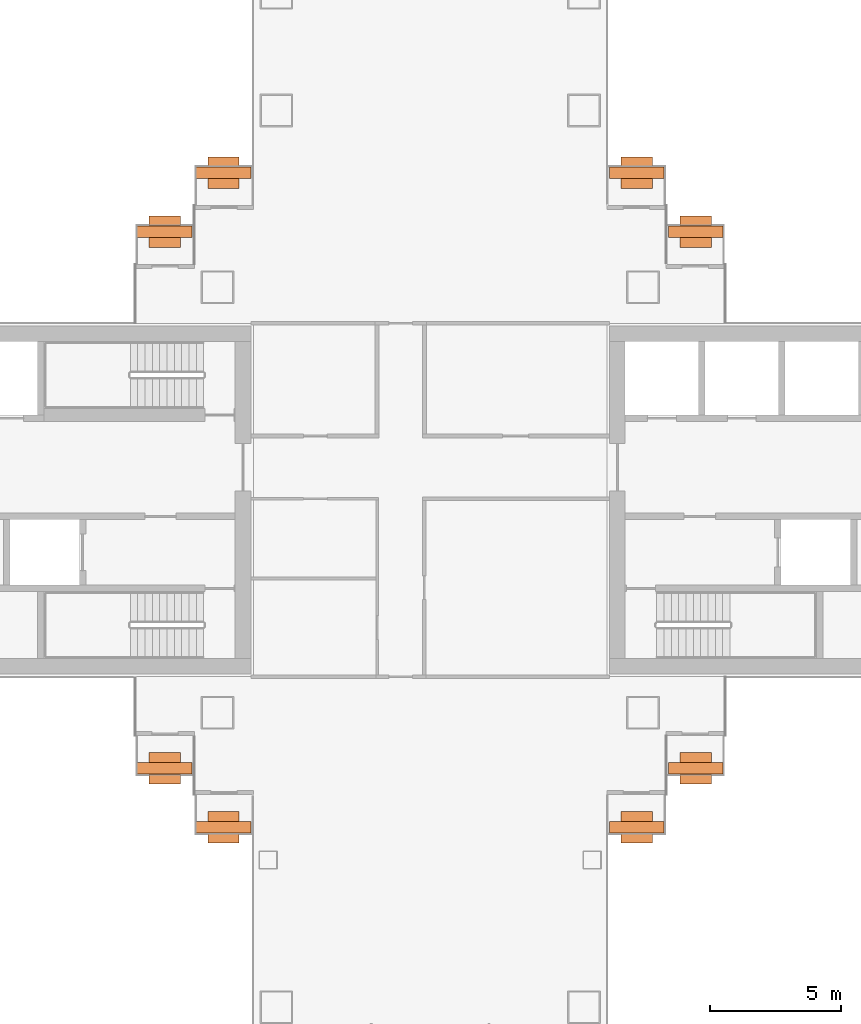
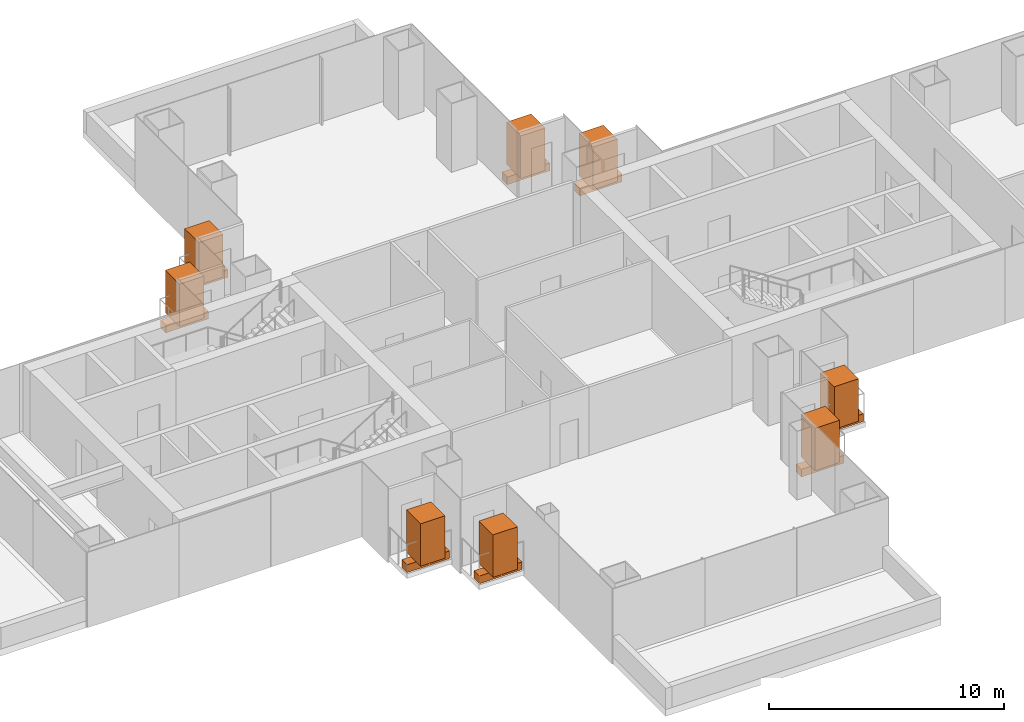
# One storey, part 20 of 20: 8 geographic elements, 8 proxies.
"""IFC4 building model written with IfcOpenShell, lengths in metres."""

from ifc_helpers import new_model, si_unit, direction, frame, origin, origin_2d, place, context, subcontext, project, spatial, rectangle, extrude, material, type_object, element, save


model = new_model("IFC4")

# Units and contexts
model_context = context("Model", 3, precision=1e-05, world=origin(), true_north=direction((0.0, 1.0)))
body_context = subcontext(model_context, "Body", "Model", "MODEL_VIEW")
ifc_project = project(units=[si_unit("LENGTHUNIT", "METRE"), si_unit("AREAUNIT", "SQUARE_METRE"), si_unit("VOLUMEUNIT", "CUBIC_METRE"), si_unit("PLANEANGLEUNIT", "RADIAN"), si_unit("MASSUNIT", "GRAM", prefix="KILO")], contexts=[model_context])

# Site, building, storey
site_placement = place(None, origin())
site = spatial("IfcSite", under=ifc_project, at=site_placement, CompositionType="ELEMENT")
building_placement = place(site_placement, origin())
building = spatial("IfcBuilding", under=site, at=building_placement, Name="Shamsa Quay Exchange Towers", CompositionType="ELEMENT")
storey_placement = place(building_placement, frame((0.0, 0.0, 81.89990234375)))
storey = spatial("IfcBuildingStorey", under=building, at=storey_placement, Name="L18", CompositionType="ELEMENT", Elevation=81.89990234375)

# Proxies
ifc_material_1 = material(Name="Reinforced concrete C30/37, black glass-fibre faced", Category="concrete")
building_element_proxy_type = type_object("IfcBuildingElementProxyType", Name="BALCONY PLANTER", PredefinedType="USERDEFINED", material=ifc_material_1)
for number, where, z_axis, x_axis, name in (
    (1, (-23.60595703125, 10.2451171875, 0.000244140625), (0.0, 0.0, 1.0), (-1.0, 0.0, 0.0), "PLANTER T1-PKEN L18"),
    (2, (-25.85595703125, 12.4951171875, 0.000244140625), (0.0, 0.0, 1.0), (-1.0, 0.0, 0.0), "PLANTER T1-PKEN L18"),
):
    element("IfcBuildingElementProxy", number, at=place(storey_placement, frame(where, z_axis=z_axis, x_axis=x_axis)), inside=storey, type_object=building_element_proxy_type, Name=name, ObjectType="PLANTER", PredefinedType="USERDEFINED", context=body_context, shape_type="SweptSolid", body=[
        extrude(rectangle(XDim=2.092041015625, YDim=0.449951171875, at=origin_2d()), origin(), (0.0, 0.0, 1.0), 0.39990234375),
    ])
for number, where, name in (
    (3, (-23.60595703125, -10.2451171875, 0.000244140625), "PLANTER T1-PKES L18"),
    (4, (-25.85595703125, -12.4951171875, 0.000244140625), "PLANTER T1-PKES L18"),
):
    element("IfcBuildingElementProxy", number, at=place(storey_placement, frame(where)), inside=storey, type_object=building_element_proxy_type, Name=name, ObjectType="PLANTER", PredefinedType="USERDEFINED", context=body_context, shape_type="SweptSolid", body=[
        extrude(rectangle(XDim=2.092041015625, YDim=0.449951171875, at=origin_2d()), origin(), (0.0, 0.0, 1.0), 0.39990234375),
    ])
for number, where, z_axis, x_axis, name in (
    (5, (-41.64404296875, 12.4951171875, 0.000244140625), (0.0, 0.0, 1.0), (-1.0, 0.0, 0.0), "PLANTER T1-PKWN L18"),
    (6, (-43.89404296875, 10.2451171875, 0.000244140625), (0.0, 0.0, 1.0), (-1.0, 0.0, 0.0), "PLANTER T1-PKWN L18"),
):
    element("IfcBuildingElementProxy", number, at=place(storey_placement, frame(where, z_axis=z_axis, x_axis=x_axis)), inside=storey, type_object=building_element_proxy_type, Name=name, ObjectType="PLANTER", PredefinedType="USERDEFINED", context=body_context, shape_type="SweptSolid", body=[
        extrude(rectangle(XDim=2.092041015625, YDim=0.449951171875, at=origin_2d()), origin(), (0.0, 0.0, 1.0), 0.39990234375),
    ])
for number, where, name in (
    (7, (-43.89404296875, -10.2451171875, 0.000244140625), "PLANTER T1-PKWS L18"),
    (8, (-41.64404296875, -12.4951171875, 0.000244140625), "PLANTER T1-PKWS L18"),
):
    element("IfcBuildingElementProxy", number, at=place(storey_placement, frame(where)), inside=storey, type_object=building_element_proxy_type, Name=name, ObjectType="PLANTER", PredefinedType="USERDEFINED", context=body_context, shape_type="SweptSolid", body=[
        extrude(rectangle(XDim=2.092041015625, YDim=0.449951171875, at=origin_2d()), origin(), (0.0, 0.0, 1.0), 0.39990234375),
    ])

# Geographic elements
ifc_material_2 = material(Name="Planting")
geographic_element_type = type_object("IfcGeographicElementType", Name="BALCONY TREE", PredefinedType="USERDEFINED", material=ifc_material_2)
for number, where, z_axis, x_axis, name in (
    (9, (-23.60595703125, 10.2451171875, 0.39990234375), (0.0, 0.0, 1.0), (-1.0, 0.0, 0.0), "TREE T1-PKEN L18"),
    (10, (-25.85595703125, 12.4951171875, 0.39990234375), (0.0, 0.0, 1.0), (-1.0, 0.0, 0.0), "TREE T1-PKEN L18"),
):
    element("IfcGeographicElement", number, at=place(storey_placement, frame(where, z_axis=z_axis, x_axis=x_axis)), inside=storey, type_object=geographic_element_type, Name=name, ObjectType="TREE", PredefinedType="USERDEFINED", context=body_context, shape_type="SweptSolid", body=[
        extrude(rectangle(XDim=1.199951171875, YDim=1.199951171875, at=origin_2d()), origin(), (0.0, 0.0, 1.0), 2.199951171875),
    ])
for number, where, name in (
    (11, (-23.60595703125, -10.2451171875, 0.39990234375), "TREE T1-PKES L18"),
    (12, (-25.85595703125, -12.4951171875, 0.39990234375), "TREE T1-PKES L18"),
):
    element("IfcGeographicElement", number, at=place(storey_placement, frame(where)), inside=storey, type_object=geographic_element_type, Name=name, ObjectType="TREE", PredefinedType="USERDEFINED", context=body_context, shape_type="SweptSolid", body=[
        extrude(rectangle(XDim=1.199951171875, YDim=1.199951171875, at=origin_2d()), origin(), (0.0, 0.0, 1.0), 2.199951171875),
    ])
for number, where, z_axis, x_axis, name in (
    (13, (-41.64404296875, 12.4951171875, 0.39990234375), (0.0, 0.0, 1.0), (-1.0, 0.0, 0.0), "TREE T1-PKWN L18"),
    (14, (-43.89404296875, 10.2451171875, 0.39990234375), (0.0, 0.0, 1.0), (-1.0, 0.0, 0.0), "TREE T1-PKWN L18"),
):
    element("IfcGeographicElement", number, at=place(storey_placement, frame(where, z_axis=z_axis, x_axis=x_axis)), inside=storey, type_object=geographic_element_type, Name=name, ObjectType="TREE", PredefinedType="USERDEFINED", context=body_context, shape_type="SweptSolid", body=[
        extrude(rectangle(XDim=1.199951171875, YDim=1.199951171875, at=origin_2d()), origin(), (0.0, 0.0, 1.0), 2.199951171875),
    ])
for number, where, name in (
    (15, (-43.89404296875, -10.2451171875, 0.39990234375), "TREE T1-PKWS L18"),
    (16, (-41.64404296875, -12.4951171875, 0.39990234375), "TREE T1-PKWS L18"),
):
    element("IfcGeographicElement", number, at=place(storey_placement, frame(where)), inside=storey, type_object=geographic_element_type, Name=name, ObjectType="TREE", PredefinedType="USERDEFINED", context=body_context, shape_type="SweptSolid", body=[
        extrude(rectangle(XDim=1.199951171875, YDim=1.199951171875, at=origin_2d()), origin(), (0.0, 0.0, 1.0), 2.199951171875),
    ])

save(model, "model.ifc")
